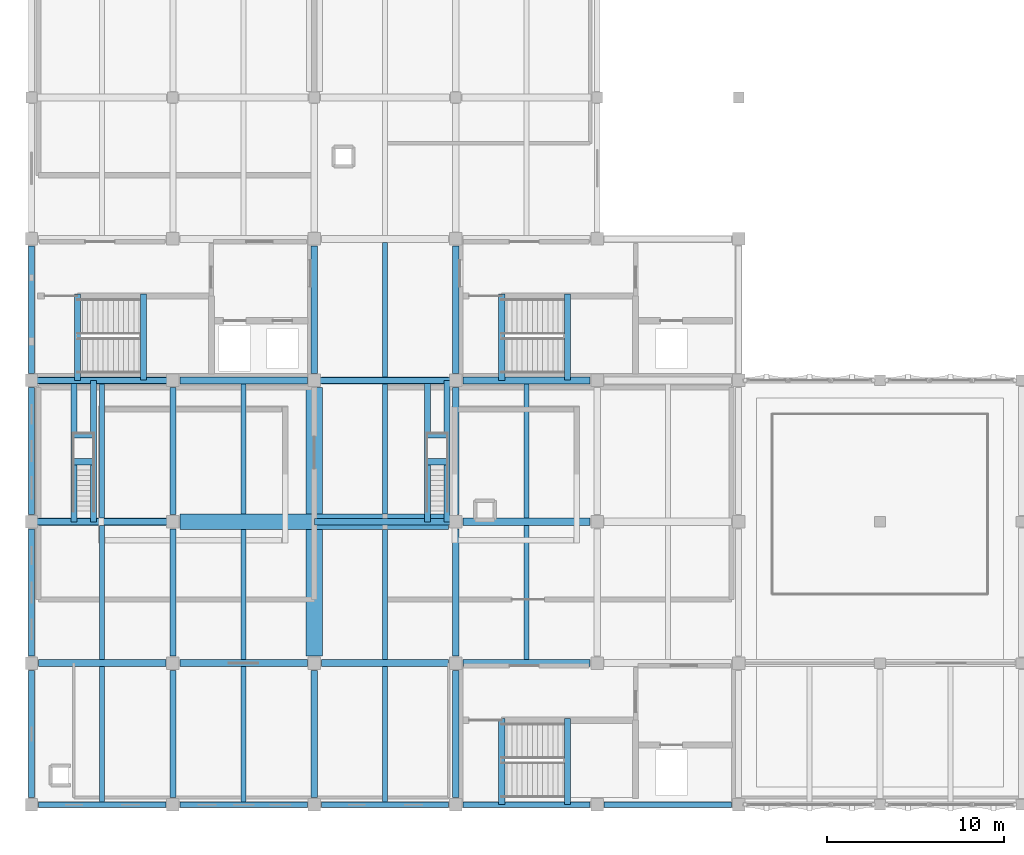
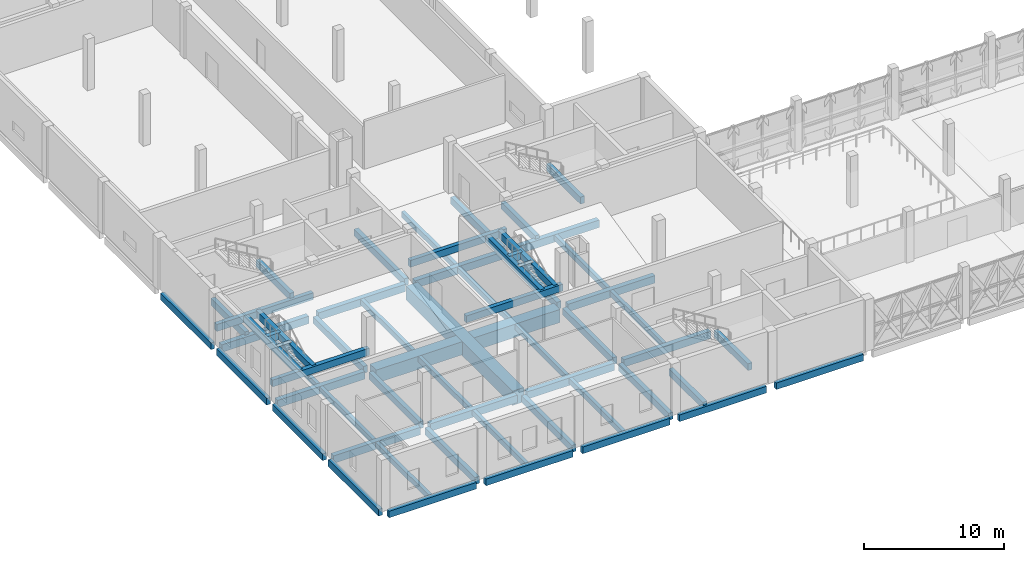
# One storey, part 9 of 43: 60 beams.
"""IFC4 building model written with IfcOpenShell, lengths in metres."""

from ifc_helpers import new_model, si_unit, direction, frame, origin, origin_2d, place, context, subcontext, project, spatial, rectangle, extrude, material, material_profile, profile_set, type_object, element, save


model = new_model("IFC4")

# Units and contexts
model_context = context("Model", 3, precision=1e-05, world=origin(), true_north=direction((0.0, 1.0)))
body_context = subcontext(model_context, "Body", "Model", "MODEL_VIEW")
ifc_project = project(units=[si_unit("LENGTHUNIT", "METRE"), si_unit("AREAUNIT", "SQUARE_METRE"), si_unit("VOLUMEUNIT", "CUBIC_METRE"), si_unit("PLANEANGLEUNIT", "RADIAN"), si_unit("MASSUNIT", "GRAM", prefix="KILO")], contexts=[model_context])

# Site, building, storey
site_placement = place(None, origin())
site = spatial("IfcSite", under=ifc_project, at=site_placement, CompositionType="ELEMENT")
building_placement = place(site_placement, origin())
building = spatial("IfcBuilding", under=site, at=building_placement, Name="Qorikala Patio Media Centre", CompositionType="ELEMENT")
storey_placement = place(building_placement, frame((0.0, 0.0, 18.89990234375)))
storey = spatial("IfcBuildingStorey", under=building, at=storey_placement, Name="L04", CompositionType="ELEMENT", Elevation=18.89990234375)

# Beams
ifc_material = material(Name="Concrete C35/45", Category="concrete")
ifc_material_profile_1 = material_profile(ifc_material, rectangle(XDim=0.35009765625, YDim=0.60009765625, at=origin_2d()), Name="RC 350x600")
ifc_profile_set_1 = profile_set([ifc_material_profile_1], Name="Concrete C35/45")
beam_type_1 = type_object("IfcBeamType", Name="BM-G350X600", PredefinedType="BEAM", material=ifc_profile_set_1)
for number, where, z_axis, x_axis, name in (
    (1, (11.0, 3.39990234375, -0.599853515625), (0.0, 1.0, 0.0), (-1.0, 0.0, 0.0), "L04 Grid X=11 Beam 1394"),
    (2, (11.0, 11.39990234375, -0.599853515625), (0.0, 1.0, 0.0), (-1.0, 0.0, 0.0), "L04 Grid X=11 Beam 1395"),
    (3, (11.0, 19.39990234375, -0.599853515625), (0.0, 1.0, 0.0), (-1.0, 0.0, 0.0), "L04 Grid X=11 Beam 1396"),
    (4, (19.0, 3.39990234375, -0.599853515625), (0.0, 1.0, 0.0), (-1.0, 0.0, 0.0), "L04 Grid X=19 Beam 1401"),
    (5, (19.0, 27.39990234375, -0.599853515625), (0.0, 1.0, 0.0), (-1.0, 0.0, 0.0), "L04 Grid X=19 Beam 1403"),
    (6, (27.0, 3.39990234375, -0.599853515625), (0.0, 1.0, 0.0), (-1.0, 0.0, 0.0), "L04 Grid X=27 Beam 1408"),
    (7, (27.0, 11.39990234375, -0.599853515625), (0.0, 1.0, 0.0), (-1.0, 0.0, 0.0), "L04 Grid X=27 Beam 1409"),
    (8, (27.0, 19.39990234375, -0.599853515625), (0.0, 1.0, 0.0), (-1.0, 0.0, 0.0), "L04 Grid X=27 Beam 1410"),
    (9, (27.0, 27.39990234375, -0.599853515625), (0.0, 1.0, 0.0), (-1.0, 0.0, 0.0), "L04 Grid X=27 Beam 1411"),
):
    element("IfcBeam", number, at=place(storey_placement, frame(where, z_axis=z_axis, x_axis=x_axis)), inside=storey, type_object=beam_type_1, Name=name, PredefinedType="BEAM", context=body_context, shape_type="SweptSolid", body=[
        extrude(rectangle(XDim=0.35009765625, YDim=0.60009765625, at=origin_2d()), origin(), (0.0, 0.0, 1.0), 7.2001953125),
    ])
beam_1_placement = place(storey_placement, frame((29.60009765625, 3.0, -0.2998046875), z_axis=(0.0, 1.0, 0.0), x_axis=(-1.0, 0.0, 0.0)))
element("IfcBeam", 10, at=beam_1_placement, inside=storey, type_object=beam_type_1, Name="L04 ST-1 Well Trimmer Beam", PredefinedType="BEAM", context=body_context, shape_type="SweptSolid", body=[
    extrude(rectangle(XDim=0.35009765625, YDim=0.60009765625, at=origin_2d()), origin(), (0.0, 0.0, 1.0), 4.8798828125),
])
beam_2_placement = place(storey_placement, frame((33.330078125, 3.02001953125, 1.75), z_axis=(0.0, 1.0, 0.0), x_axis=(-1.0, 0.0, 0.0)))
element("IfcBeam", 11, at=beam_2_placement, inside=storey, type_object=beam_type_1, Name="L04 ST-1 Landing Beam 1", PredefinedType="BEAM", context=body_context, shape_type="SweptSolid", body=[
    extrude(rectangle(XDim=0.35009765625, YDim=0.60009765625, at=origin_2d()), origin(), (0.0, 0.0, 1.0), 4.85986328125),
])
beam_3_placement = place(storey_placement, frame((5.60009765625, 27.0, -0.2998046875), z_axis=(0.0, 1.0, 0.0), x_axis=(-1.0, 0.0, 0.0)))
element("IfcBeam", 12, at=beam_3_placement, inside=storey, type_object=beam_type_1, Name="L04 ST-2 Well Trimmer Beam", PredefinedType="BEAM", context=body_context, shape_type="SweptSolid", body=[
    extrude(rectangle(XDim=0.35009765625, YDim=0.60009765625, at=origin_2d()), origin(), (0.0, 0.0, 1.0), 4.8798828125),
])
beam_4_placement = place(storey_placement, frame((9.330078125, 27.02001953125, 1.75), z_axis=(0.0, 1.0, 0.0), x_axis=(-1.0, 0.0, 0.0)))
element("IfcBeam", 13, at=beam_4_placement, inside=storey, type_object=beam_type_1, Name="L04 ST-2 Landing Beam 1", PredefinedType="BEAM", context=body_context, shape_type="SweptSolid", body=[
    extrude(rectangle(XDim=0.35009765625, YDim=0.60009765625, at=origin_2d()), origin(), (0.0, 0.0, 1.0), 4.85986328125),
])
beam_5_placement = place(storey_placement, frame((29.60009765625, 27.0, -0.2998046875), z_axis=(0.0, 1.0, 0.0), x_axis=(-1.0, 0.0, 0.0)))
element("IfcBeam", 14, at=beam_5_placement, inside=storey, type_object=beam_type_1, Name="L04 ST-5 Well Trimmer Beam", PredefinedType="BEAM", context=body_context, shape_type="SweptSolid", body=[
    extrude(rectangle(XDim=0.35009765625, YDim=0.60009765625, at=origin_2d()), origin(), (0.0, 0.0, 1.0), 4.8798828125),
])
beam_6_placement = place(storey_placement, frame((33.330078125, 27.02001953125, 1.75), z_axis=(0.0, 1.0, 0.0), x_axis=(-1.0, 0.0, 0.0)))
element("IfcBeam", 15, at=beam_6_placement, inside=storey, type_object=beam_type_1, Name="L04 ST-5 Landing Beam 1", PredefinedType="BEAM", context=body_context, shape_type="SweptSolid", body=[
    extrude(rectangle(XDim=0.35009765625, YDim=0.60009765625, at=origin_2d()), origin(), (0.0, 0.0, 1.0), 4.85986328125),
])
for number, where, z_axis, x_axis, name in (
    (16, (3.0, 19.0, 1.300048828125), (1.0, 0.0, 0.0), (0.0, 1.0, 0.0), "Vomitory VS-05 Transverse Grid Beam S"),
    (17, (3.0, 27.0, 1.300048828125), (1.0, 0.0, 0.0), (0.0, 1.0, 0.0), "Vomitory VS-05 Transverse Grid Beam N"),
    (18, (5.39990234375, 19.0, 1.300048828125), (0.0, 1.0, 0.0), (-1.0, 0.0, 0.0), "Vomitory VS-05 Longitudinal Stringer L"),
    (19, (6.5, 19.0, 1.300048828125), (0.0, 1.0, 0.0), (-1.0, 0.0, 0.0), "Vomitory VS-05 Longitudinal Stringer R"),
):
    element("IfcBeam", number, at=place(storey_placement, frame(where, z_axis=z_axis, x_axis=x_axis)), inside=storey, type_object=beam_type_1, Name=name, PredefinedType="BEAM", context=body_context, shape_type="SweptSolid", body=[
        extrude(rectangle(XDim=0.35009765625, YDim=0.60009765625, at=origin_2d()), origin(), (0.0, 0.0, 1.0), 8.0),
    ])
for number, where, z_axis, x_axis, name in (
    (20, (5.39990234375, 22.39990234375, 1.300048828125), (1.0, 0.0, 0.0), (0.0, 1.0, 0.0), "Vomitory VS-05 Landing Cross Beam FR"),
    (21, (5.39990234375, 23.89990234375, 1.300048828125), (1.0, 0.0, 0.0), (0.0, 1.0, 0.0), "Vomitory VS-05 Landing Cross Beam BK"),
):
    element("IfcBeam", number, at=place(storey_placement, frame(where, z_axis=z_axis, x_axis=x_axis)), inside=storey, type_object=beam_type_1, Name=name, PredefinedType="BEAM", context=body_context, shape_type="SweptSolid", body=[
        extrude(rectangle(XDim=0.35009765625, YDim=0.60009765625, at=origin_2d()), origin(), (0.0, 0.0, 1.0), 1.10009765625),
    ])
for number, where, z_axis, x_axis, name in (
    (22, (19.0, 19.0, 1.300048828125), (1.0, 0.0, 0.0), (0.0, 1.0, 0.0), "Vomitory VS-06 Transverse Grid Beam S"),
    (23, (19.0, 27.0, 1.300048828125), (1.0, 0.0, 0.0), (0.0, 1.0, 0.0), "Vomitory VS-06 Transverse Grid Beam N"),
    (24, (25.39990234375, 19.0, 1.300048828125), (0.0, 1.0, 0.0), (-1.0, 0.0, 0.0), "Vomitory VS-06 Longitudinal Stringer L"),
    (25, (26.5, 19.0, 1.300048828125), (0.0, 1.0, 0.0), (-1.0, 0.0, 0.0), "Vomitory VS-06 Longitudinal Stringer R"),
):
    element("IfcBeam", number, at=place(storey_placement, frame(where, z_axis=z_axis, x_axis=x_axis)), inside=storey, type_object=beam_type_1, Name=name, PredefinedType="BEAM", context=body_context, shape_type="SweptSolid", body=[
        extrude(rectangle(XDim=0.35009765625, YDim=0.60009765625, at=origin_2d()), origin(), (0.0, 0.0, 1.0), 8.0),
    ])
for number, where, z_axis, x_axis, name in (
    (26, (25.39990234375, 22.39990234375, 1.300048828125), (1.0, 0.0, 0.0), (0.0, 1.0, 0.0), "Vomitory VS-06 Landing Cross Beam FR"),
    (27, (25.39990234375, 23.89990234375, 1.300048828125), (1.0, 0.0, 0.0), (0.0, 1.0, 0.0), "Vomitory VS-06 Landing Cross Beam BK"),
):
    element("IfcBeam", number, at=place(storey_placement, frame(where, z_axis=z_axis, x_axis=x_axis)), inside=storey, type_object=beam_type_1, Name=name, PredefinedType="BEAM", context=body_context, shape_type="SweptSolid", body=[
        extrude(rectangle(XDim=0.35009765625, YDim=0.60009765625, at=origin_2d()), origin(), (0.0, 0.0, 1.0), 1.10009765625),
    ])
ifc_material_profile_2 = material_profile(ifc_material, rectangle(XDim=0.39990234375, YDim=0.64990234375, at=origin_2d()), Name="RC 400x650")
ifc_profile_set_2 = profile_set([ifc_material_profile_2], Name="Concrete C35/45")
beam_type_2 = type_object("IfcBeamType", Name="BM-G400X650", PredefinedType="BEAM", material=ifc_profile_set_2)
for number, where, z_axis, x_axis, name in (
    (28, (3.39990234375, 11.0, -0.625), (1.0, 0.0, 0.0), (0.0, 1.0, 0.0), "L04 Grid 11 Beam 1330"),
    (29, (11.39990234375, 11.0, -0.625), (1.0, 0.0, 0.0), (0.0, 1.0, 0.0), "L04 Grid 11 Beam 1331"),
    (30, (19.39990234375, 11.0, -0.625), (1.0, 0.0, 0.0), (0.0, 1.0, 0.0), "L04 Grid 11 Beam 1332"),
    (31, (27.39990234375, 11.0, -0.625), (1.0, 0.0, 0.0), (0.0, 1.0, 0.0), "L04 Grid 11 Beam 1333"),
    (32, (3.39990234375, 19.0, -0.625), (1.0, 0.0, 0.0), (0.0, 1.0, 0.0), "L04 Grid 19 Beam 1341"),
    (33, (27.39990234375, 19.0, -0.625), (1.0, 0.0, 0.0), (0.0, 1.0, 0.0), "L04 Grid 19 Beam 1343"),
    (34, (3.39990234375, 27.0, -0.625), (1.0, 0.0, 0.0), (0.0, 1.0, 0.0), "L04 Grid 27 Beam 1349"),
    (35, (11.39990234375, 27.0, -0.625), (1.0, 0.0, 0.0), (0.0, 1.0, 0.0), "L04 Grid 27 Beam 1350"),
    (36, (19.39990234375, 27.0, -0.625), (1.0, 0.0, 0.0), (0.0, 1.0, 0.0), "L04 Grid 27 Beam 1351"),
    (37, (27.39990234375, 27.0, -0.625), (1.0, 0.0, 0.0), (0.0, 1.0, 0.0), "L04 Grid 27 Beam 1352"),
):
    element("IfcBeam", number, at=place(storey_placement, frame(where, z_axis=z_axis, x_axis=x_axis)), inside=storey, type_object=beam_type_2, Name=name, PredefinedType="BEAM", context=body_context, shape_type="SweptSolid", body=[
        extrude(rectangle(XDim=0.39990234375, YDim=0.64990234375, at=origin_2d()), origin(), (0.0, 0.0, 1.0), 7.2001953125),
    ])
ifc_material_profile_3 = material_profile(ifc_material, rectangle(XDim=0.89990234375, YDim=1.14990234375, at=origin_2d()), Name="RC 900x1150")
ifc_profile_set_3 = profile_set([ifc_material_profile_3], Name="Concrete C35/45")
beam_type_3 = type_object("IfcBeamType", Name="BM-TR900X1150", PredefinedType="BEAM", material=ifc_profile_set_3)
beam_7_placement = place(storey_placement, frame((11.39990234375, 19.0, -0.875), z_axis=(1.0, 0.0, 0.0), x_axis=(0.0, 1.0, 0.0)))
element("IfcBeam", 38, at=beam_7_placement, inside=storey, type_object=beam_type_3, Name="L04 Grid 19 Beam 1342", PredefinedType="BEAM", context=body_context, shape_type="SweptSolid", body=[
    extrude(rectangle(XDim=0.89990234375, YDim=1.14990234375, at=origin_2d()), origin(), (0.0, 0.0, 1.0), 15.2001953125),
])
ifc_material_profile_4 = material_profile(ifc_material, rectangle(XDim=0.949951171875, YDim=1.25, at=origin_2d()), Name="RC 950x1250")
ifc_profile_set_4 = profile_set([ifc_material_profile_4], Name="Concrete C35/45")
beam_type_4 = type_object("IfcBeamType", Name="BM-TR950X1250", PredefinedType="BEAM", material=ifc_profile_set_4)
beam_8_placement = place(storey_placement, frame((19.0, 11.39990234375, -0.9248046875), z_axis=(0.0, 1.0, 0.0), x_axis=(-1.0, 0.0, 0.0)))
element("IfcBeam", 39, at=beam_8_placement, inside=storey, type_object=beam_type_4, Name="L04 Grid X=19 Transfer Girder 1402", PredefinedType="BEAM", context=body_context, shape_type="SweptSolid", body=[
    extrude(rectangle(XDim=0.949951171875, YDim=1.25, at=origin_2d()), origin(), (0.0, 0.0, 1.0), 15.2001953125),
])
ifc_material_profile_5 = material_profile(ifc_material, rectangle(XDim=0.280029296875, YDim=0.47998046875, at=origin_2d()), Name="RC 280x480")
ifc_profile_set_5 = profile_set([ifc_material_profile_5], Name="Concrete C35/45")
beam_type_5 = type_object("IfcBeamType", Name="JS-280X480", PredefinedType="JOIST", material=ifc_profile_set_5)
beam_9_placement = place(storey_placement, frame((7.0, 3.159912109375, -0.539794921875), z_axis=(0.0, 1.0, 0.0), x_axis=(-1.0, 0.0, 0.0)))
element("IfcBeam", 40, at=beam_9_placement, inside=storey, type_object=beam_type_5, Name="L04 Secondary Joist 1443", PredefinedType="JOIST", context=body_context, shape_type="SweptSolid", body=[
    extrude(rectangle(XDim=0.280029296875, YDim=0.47998046875, at=origin_2d()), origin(), (0.0, 0.0, 1.0), 7.64013671875),
])
for number, where, z_axis, x_axis, name in (
    (41, (7.0, 11.199951171875, -0.539794921875), (0.0, 1.0, 0.0), (-1.0, 0.0, 0.0), "L04 Secondary Joist 1444"),
    (42, (7.0, 19.199951171875, -0.539794921875), (0.0, 1.0, 0.0), (-1.0, 0.0, 0.0), "L04 Secondary Joist 1445"),
):
    element("IfcBeam", number, at=place(storey_placement, frame(where, z_axis=z_axis, x_axis=x_axis)), inside=storey, type_object=beam_type_5, Name=name, PredefinedType="JOIST", context=body_context, shape_type="SweptSolid", body=[
        extrude(rectangle(XDim=0.280029296875, YDim=0.47998046875, at=origin_2d()), origin(), (0.0, 0.0, 1.0), 7.60009765625),
    ])
beam_10_placement = place(storey_placement, frame((15.0, 3.159912109375, -0.539794921875), z_axis=(0.0, 1.0, 0.0), x_axis=(-1.0, 0.0, 0.0)))
element("IfcBeam", 43, at=beam_10_placement, inside=storey, type_object=beam_type_5, Name="L04 Secondary Joist 1449", PredefinedType="JOIST", context=body_context, shape_type="SweptSolid", body=[
    extrude(rectangle(XDim=0.280029296875, YDim=0.47998046875, at=origin_2d()), origin(), (0.0, 0.0, 1.0), 7.64013671875),
])
for number, where, z_axis, x_axis, name in (
    (44, (15.0, 11.199951171875, -0.539794921875), (0.0, 1.0, 0.0), (-1.0, 0.0, 0.0), "L04 Secondary Joist 1450"),
    (45, (15.0, 19.449951171875, -0.539794921875), (0.0, 1.0, 0.0), (-1.0, 0.0, 0.0), "L04 Secondary Joist 1451"),
):
    element("IfcBeam", number, at=place(storey_placement, frame(where, z_axis=z_axis, x_axis=x_axis)), inside=storey, type_object=beam_type_5, Name=name, PredefinedType="JOIST", context=body_context, shape_type="SweptSolid", body=[
        extrude(rectangle(XDim=0.280029296875, YDim=0.47998046875, at=origin_2d()), origin(), (0.0, 0.0, 1.0), 7.35009765625),
    ])
beam_11_placement = place(storey_placement, frame((23.0, 3.159912109375, -0.539794921875), z_axis=(0.0, 1.0, 0.0), x_axis=(-1.0, 0.0, 0.0)))
element("IfcBeam", 46, at=beam_11_placement, inside=storey, type_object=beam_type_5, Name="L04 Secondary Joist 1455", PredefinedType="JOIST", context=body_context, shape_type="SweptSolid", body=[
    extrude(rectangle(XDim=0.280029296875, YDim=0.47998046875, at=origin_2d()), origin(), (0.0, 0.0, 1.0), 7.64013671875),
])
for number, where, z_axis, x_axis, name in (
    (47, (23.0, 11.199951171875, -0.539794921875), (0.0, 1.0, 0.0), (-1.0, 0.0, 0.0), "L04 Secondary Joist 1456"),
    (48, (23.0, 19.449951171875, -0.539794921875), (0.0, 1.0, 0.0), (-1.0, 0.0, 0.0), "L04 Secondary Joist 1457"),
):
    element("IfcBeam", number, at=place(storey_placement, frame(where, z_axis=z_axis, x_axis=x_axis)), inside=storey, type_object=beam_type_5, Name=name, PredefinedType="JOIST", context=body_context, shape_type="SweptSolid", body=[
        extrude(rectangle(XDim=0.280029296875, YDim=0.47998046875, at=origin_2d()), origin(), (0.0, 0.0, 1.0), 7.35009765625),
    ])
for number, where, z_axis, x_axis, name in (
    (49, (23.0, 27.199951171875, -0.539794921875), (0.0, 1.0, 0.0), (-1.0, 0.0, 0.0), "L04 Secondary Joist 1458"),
    (50, (31.0, 11.199951171875, -0.539794921875), (0.0, 1.0, 0.0), (-1.0, 0.0, 0.0), "L04 Secondary Joist 1463"),
    (51, (31.0, 19.199951171875, -0.539794921875), (0.0, 1.0, 0.0), (-1.0, 0.0, 0.0), "L04 Secondary Joist 1464"),
):
    element("IfcBeam", number, at=place(storey_placement, frame(where, z_axis=z_axis, x_axis=x_axis)), inside=storey, type_object=beam_type_5, Name=name, PredefinedType="JOIST", context=body_context, shape_type="SweptSolid", body=[
        extrude(rectangle(XDim=0.280029296875, YDim=0.47998046875, at=origin_2d()), origin(), (0.0, 0.0, 1.0), 7.60009765625),
    ])
ifc_material_profile_6 = material_profile(ifc_material, rectangle(XDim=0.320068359375, YDim=0.580078125, at=origin_2d()), Name="RC 320x580")
ifc_profile_set_6 = profile_set([ifc_material_profile_6], Name="Concrete C35/45")
beam_type_6 = type_object("IfcBeamType", Name="SP-320X580", PredefinedType="SPANDREL", material=ifc_profile_set_6)
for number, where, z_axis, x_axis, name in (
    (52, (3.39990234375, 3.0, -0.58984375), (1.0, 0.0, 0.0), (0.0, 1.0, 0.0), "L04 Grid 3 Beam 1318"),
    (53, (11.39990234375, 3.0, -0.58984375), (1.0, 0.0, 0.0), (0.0, 1.0, 0.0), "L04 Grid 3 Beam 1319"),
    (54, (19.39990234375, 3.0, -0.58984375), (1.0, 0.0, 0.0), (0.0, 1.0, 0.0), "L04 Grid 3 Beam 1320"),
    (55, (27.39990234375, 3.0, -0.58984375), (1.0, 0.0, 0.0), (0.0, 1.0, 0.0), "L04 Grid 3 Beam 1321"),
    (56, (35.39990234375, 3.0, -0.58984375), (1.0, 0.0, 0.0), (0.0, 1.0, 0.0), "L04 Grid 3 Beam 1322"),
    (57, (3.0, 3.39990234375, -0.58984375), (0.0, 1.0, 0.0), (-1.0, 0.0, 0.0), "L04 Grid X=3 Beam 1385"),
    (58, (3.0, 11.39990234375, -0.58984375), (0.0, 1.0, 0.0), (-1.0, 0.0, 0.0), "L04 Grid X=3 Beam 1386"),
    (59, (3.0, 19.39990234375, -0.58984375), (0.0, 1.0, 0.0), (-1.0, 0.0, 0.0), "L04 Grid X=3 Beam 1387"),
    (60, (3.0, 27.39990234375, -0.58984375), (0.0, 1.0, 0.0), (-1.0, 0.0, 0.0), "L04 Grid X=3 Beam 1388"),
):
    element("IfcBeam", number, at=place(storey_placement, frame(where, z_axis=z_axis, x_axis=x_axis)), inside=storey, type_object=beam_type_6, Name=name, PredefinedType="SPANDREL", context=body_context, shape_type="SweptSolid", body=[
        extrude(rectangle(XDim=0.320068359375, YDim=0.580078125, at=origin_2d()), origin(), (0.0, 0.0, 1.0), 7.2001953125),
    ])

save(model, "model.ifc")
